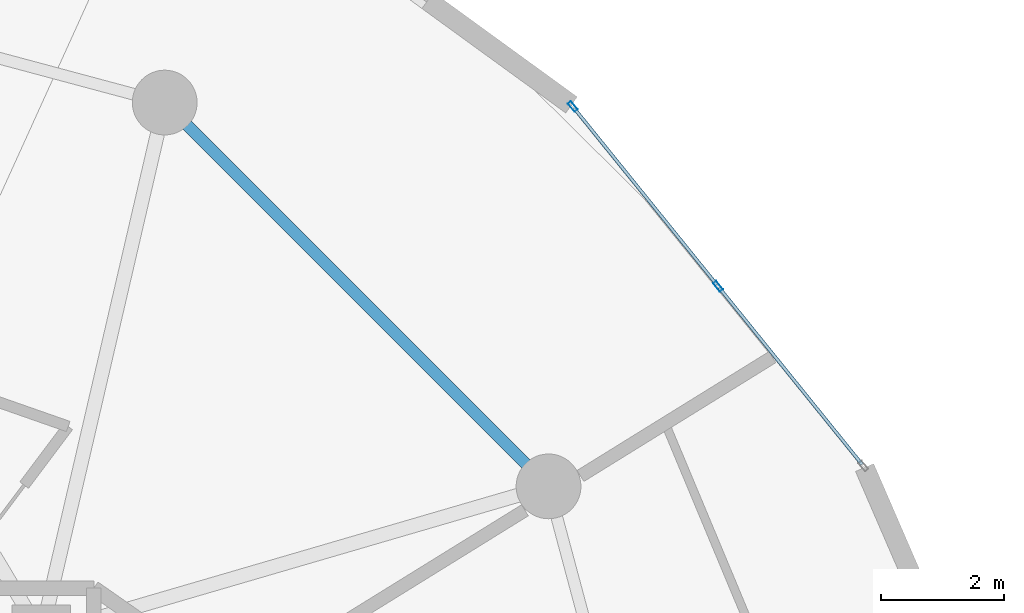
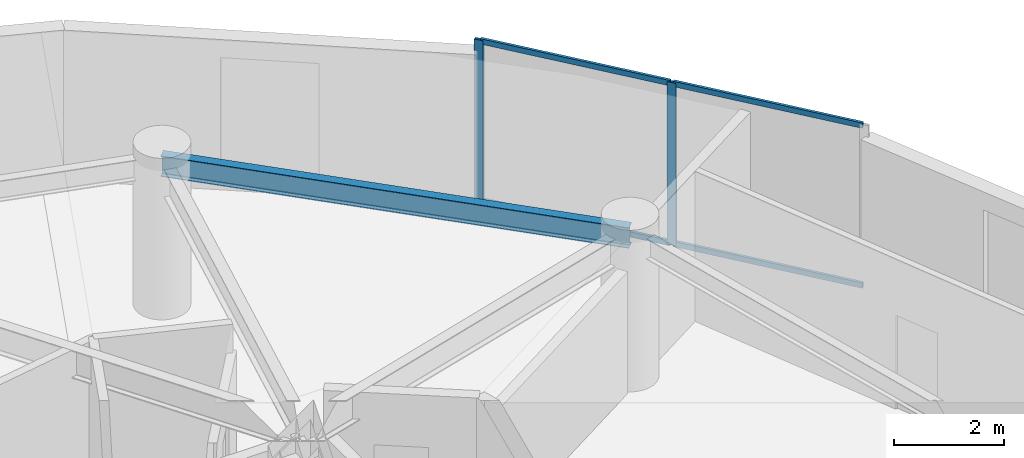
# One storey, part 15 of 21: 6 members, 1 beam, 1 element without a shape of its own.
"""IFC4 building model written with IfcOpenShell, lengths in metres."""

import ifcopenshell
import ifcopenshell.guid

model = None  # the IFC model being written
_history = None  # IfcOwnerHistory: only IFC2X3 demands one
_inside = {}  # id of a spatial element -> (the spatial element, [elements in it])
_under = {}  # id of a project, library or spatial element -> (it, [spatial elements below it])
_declared = {}  # id of a project -> (the project, [libraries it declares])
_typed = {}  # id of a type object -> (the type object, [elements of that type])
_made_of = {}  # id of a material, layer set ... -> (it, [elements and type objects made of it])


def new_model(schema):
    """Start an empty IFC model of exactly this schema.

    Asked for "IFC4X3", IfcOpenShell would pick the latest addendum, in which some entities
    have other attributes; the version numbers below select the first issue.
    IFC2X3 requires an IfcOwnerHistory on every rooted entity: one is made here for all.
    """
    global model, _history
    if schema == "IFC4X3":
        model = ifcopenshell.file(schema_version=(4, 3, 0, 0))
    else:
        model = ifcopenshell.file(schema=schema)
    _inside.clear()
    _under.clear()
    _declared.clear()
    _typed.clear()
    _made_of.clear()
    _history = None
    if model.schema == "IFC2X3":
        org = make("IfcOrganization", Name="unknown")
        user = make(
            "IfcPersonAndOrganization",
            ThePerson=make("IfcPerson", FamilyName="unknown"),
            TheOrganization=org,
        )
        app = make(
            "IfcApplication",
            ApplicationDeveloper=org,
            Version="unknown",
            ApplicationFullName="unknown",
            ApplicationIdentifier="unknown",
        )
        _history = make(
            "IfcOwnerHistory",
            OwningUser=user,
            OwningApplication=app,
            ChangeAction="ADDED",
            CreationDate=0,
        )
    return model


def make(cls, **values):
    """One entity of the class cls with the attributes given. An attribute that is None is left unset."""
    return model.create_entity(
        cls, **{name: value for name, value in values.items() if value is not None}
    )


def rooted(cls, **values):
    """An entity with a GlobalId (a new one), such as an element, a storey or a relation."""
    return make(cls, GlobalId=ifcopenshell.guid.new(), OwnerHistory=_history, **values)


def si_unit(unit_type, name, prefix=None):
    """IfcSIUnit, for example si_unit("LENGTHUNIT", "METRE", prefix="MILLI")."""
    return make("IfcSIUnit", UnitType=unit_type, Prefix=prefix, Name=name)


def assignment(units):
    """IfcUnitAssignment: the units of a project."""
    return None if units is None else make("IfcUnitAssignment", Units=units)


def point(xyz):
    """IfcCartesianPoint."""
    return None if xyz is None else make("IfcCartesianPoint", Coordinates=xyz)


def direction(xyz):
    """IfcDirection."""
    return None if xyz is None else make("IfcDirection", DirectionRatios=xyz)


def frame(location, z_axis=None, x_axis=None):
    """IfcAxis2Placement3D, a coordinate frame: its origin and axes. An axis left out is left unset."""
    return make(
        "IfcAxis2Placement3D",
        Location=point(location),
        Axis=direction(z_axis),
        RefDirection=direction(x_axis),
    )


def frame_2d(location, x_axis=None):
    """IfcAxis2Placement2D, a coordinate frame in the plane: its origin and x axis."""
    return make(
        "IfcAxis2Placement2D", Location=point(location), RefDirection=direction(x_axis)
    )


def origin():
    """The frame at (0, 0, 0) with its axes left unset."""
    return frame((0.0, 0.0, 0.0))


def origin_2d():
    """The frame at (0, 0) in the plane with its x axis left unset."""
    return frame_2d((0.0, 0.0))


def place(relative_to, where):
    """IfcLocalPlacement: puts the frame where relative to a parent placement (None: the world)."""
    return make(
        "IfcLocalPlacement", PlacementRelTo=relative_to, RelativePlacement=where
    )


def context(
    kind, dimensions, precision=None, world=None, true_north=None, identifier=None
):
    """IfcGeometricRepresentationContext, for example the 3D "Model" context."""
    return make(
        "IfcGeometricRepresentationContext",
        ContextIdentifier=identifier,
        ContextType=kind,
        CoordinateSpaceDimension=dimensions,
        Precision=precision,
        WorldCoordinateSystem=world,
        TrueNorth=true_north,
    )


def subcontext(parent, identifier, kind, view, scale=None):
    """IfcGeometricRepresentationSubContext, for example "Body" below "Model"."""
    return make(
        "IfcGeometricRepresentationSubContext",
        ContextIdentifier=identifier,
        ContextType=kind,
        ParentContext=parent,
        TargetScale=scale,
        TargetView=view,
    )


def project(units=None, contexts=None):
    """IfcProject with its units and contexts."""
    return rooted(
        "IfcProject",
        Name="project",
        RepresentationContexts=contexts,
        UnitsInContext=assignment(units),
    )


def spatial(cls, under=None, at=None, **own):
    """A site, building, storey or space (cls), placed at a placement, below another one or the project."""
    s = rooted(cls, ObjectPlacement=at, **own)
    if under is not None:
        _under.setdefault(under.id(), (under, []))[1].append(s)
    return s


def profile(cls, at=None, kind="AREA", **sizes):
    """A parametric profile (cls). Its sizes go by their IFC names, for example OverallWidth=200.0."""
    return make(cls, ProfileType=kind, Position=at, **sizes)


def hollow_rectangle(**sizes):
    """IfcRectangleHollowProfileDef."""
    return profile("IfcRectangleHollowProfileDef", **sizes)


def i_section(**sizes):
    """IfcIShapeProfileDef."""
    return profile("IfcIShapeProfileDef", **sizes)


def extrude(swept, where, along, depth):
    """IfcExtrudedAreaSolid: the profile swept, set in the frame where, extruded along a direction by depth."""
    return make(
        "IfcExtrudedAreaSolid",
        SweptArea=swept,
        Position=where,
        ExtrudedDirection=direction(along),
        Depth=depth,
    )


def shape(context_of_items, identifier, shape_type, items):
    """IfcShapeRepresentation: the items that make up one representation, for example the "Body"."""
    return make(
        "IfcShapeRepresentation",
        ContextOfItems=context_of_items,
        RepresentationIdentifier=identifier,
        RepresentationType=shape_type,
        Items=items,
    )


def source(mapping_origin, context_of_items, identifier, shape_type, items):
    """IfcRepresentationMap: a shape defined once, which mapped items show again and again."""
    return make(
        "IfcRepresentationMap",
        MappingOrigin=mapping_origin,
        MappedRepresentation=shape(context_of_items, identifier, shape_type, items),
    )


def transform(
    local_origin,
    x_axis=None,
    y_axis=None,
    z_axis=None,
    scale=None,
    scale2=None,
    scale3=None,
    uniform=True,
):
    """IfcCartesianTransformationOperator3D, or its non-uniform kind. x_axis, y_axis, z_axis: its Axis1, 2, 3."""
    if uniform:
        return make(
            "IfcCartesianTransformationOperator3D",
            Axis1=direction(x_axis),
            Axis2=direction(y_axis),
            LocalOrigin=point(local_origin),
            Scale=scale,
            Axis3=direction(z_axis),
        )
    return make(
        "IfcCartesianTransformationOperator3DnonUniform",
        Axis1=direction(x_axis),
        Axis2=direction(y_axis),
        LocalOrigin=point(local_origin),
        Scale=scale,
        Axis3=direction(z_axis),
        Scale2=scale2,
        Scale3=scale3,
    )


def mapped(mapping_source, mapping_target):
    """IfcMappedItem: shows the shape of a source again, moved by a transform."""
    return make(
        "IfcMappedItem", MappingSource=mapping_source, MappingTarget=mapping_target
    )


def material(Name=None, Category=None):
    """IfcMaterial."""
    return make("IfcMaterial", Name=Name, Category=Category)


def layer(
    of_material, thickness, ventilated=None, Name=None, Category=None, Priority=None
):
    """IfcMaterialLayer: one layer of a wall or slab, of a material (None: an air gap)."""
    return make(
        "IfcMaterialLayer",
        Material=of_material,
        LayerThickness=thickness,
        IsVentilated=ventilated,
        Name=Name,
        Category=Category,
        Priority=Priority,
    )


def layer_set(layers, Name=None):
    """IfcMaterialLayerSet."""
    return make("IfcMaterialLayerSet", MaterialLayers=layers, LayerSetName=Name)


def material_profile(
    of_material, cross_section, Name=None, Category=None, Priority=None
):
    """IfcMaterialProfile: a cross section and its material."""
    return make(
        "IfcMaterialProfile",
        Name=Name,
        Material=of_material,
        Profile=cross_section,
        Priority=Priority,
        Category=Category,
    )


def profile_set(profiles, Name=None, composite=None):
    """IfcMaterialProfileSet."""
    return make(
        "IfcMaterialProfileSet",
        Name=Name,
        MaterialProfiles=profiles,
        CompositeProfile=composite,
    )


def made_of(thing, what):
    """Note that an element or type object is made of a material, layer set ...; save() writes the relation."""
    if what is not None:
        _made_of.setdefault(what.id(), (what, []))[1].append(thing)
    return thing


def type_object(cls, material=None, **own):
    """A type object (cls), such as IfcWallType, which elements share."""
    return made_of(rooted(cls, **own), material)


def element(
    cls,
    number,
    at=None,
    inside=None,
    cuts=None,
    type_object=None,
    material=None,
    context=None,
    identifier="Body",
    shape_type=None,
    held_by="IfcProductDefinitionShape",
    body=None,
    shapes=None,
    **own,
):
    """One element of the class cls, such as IfcWall. Its Tag is "e" and its number.

    at: its placement. inside: the storey or other place that contains it. cuts: it is an
    opening in that element (IfcRelVoidsElement). A single representation is given by context,
    identifier, shape_type and body (its items); several are given by shapes. held_by: the class
    of the entity that holds the representations. save() writes the other relations.
    """
    e = rooted(cls, Tag="e%d" % number, ObjectPlacement=at, **own)
    if body is not None:
        shapes = [shape(context, identifier, shape_type, body)]
    if shapes is not None:
        e.Representation = make(held_by, Representations=shapes)
    if inside is not None:
        _inside.setdefault(inside.id(), (inside, []))[1].append(e)
    if cuts is not None:
        rooted(
            "IfcRelVoidsElement", RelatingBuildingElement=cuts, RelatedOpeningElement=e
        )
    if type_object is not None:
        _typed.setdefault(type_object.id(), (type_object, []))[1].append(e)
    return made_of(e, material)


def aggregate(whole, parts):
    """IfcRelAggregates: a whole, such as a stair, and the parts it consists of."""
    return rooted("IfcRelAggregates", RelatingObject=whole, RelatedObjects=parts)


def save(model, path):
    """Write the relations noted so far, then the file.

    IfcRelAggregates (storeys below a building ...), IfcRelContainedInSpatialStructure (elements
    in a storey), IfcRelDefinesByType, IfcRelAssociatesMaterial and IfcRelDeclares: one each for
    every whole, place, type object, material and project.
    """
    for whole, parts in _under.values():
        aggregate(whole, parts)
    for where, things in _inside.values():
        rooted(
            "IfcRelContainedInSpatialStructure",
            RelatedElements=things,
            RelatingStructure=where,
        )
    for kind, things in _typed.values():
        rooted("IfcRelDefinesByType", RelatedObjects=things, RelatingType=kind)
    for what, things in _made_of.values():
        rooted("IfcRelAssociatesMaterial", RelatedObjects=things, RelatingMaterial=what)
    for by, libraries in _declared.values():
        rooted("IfcRelDeclares", RelatingContext=by, RelatedDefinitions=libraries)
    model.write(path)


model = new_model("IFC4")

# Units and contexts
model_context = context("Model", 3, precision=1e-05, world=origin(), true_north=direction((0.0, 1.0)))
body_context = subcontext(model_context, "Body", "Model", "MODEL_VIEW")
ifc_project = project(units=[si_unit("LENGTHUNIT", "METRE"), si_unit("AREAUNIT", "SQUARE_METRE"), si_unit("VOLUMEUNIT", "CUBIC_METRE"), si_unit("PLANEANGLEUNIT", "RADIAN"), si_unit("MASSUNIT", "GRAM", prefix="KILO")], contexts=[model_context])

# Site, building, storey
site_placement = place(None, origin())
site = spatial("IfcSite", under=ifc_project, at=site_placement, CompositionType="ELEMENT")
building_placement = place(site_placement, origin())
building = spatial("IfcBuilding", under=site, at=building_placement, Name="Solvirekh Grand Hotel", CompositionType="ELEMENT")
storey_placement = place(building_placement, frame((0.0, 0.0, 142.199951171875)))
storey = spatial("IfcBuildingStorey", under=building, at=storey_placement, Name="L36", CompositionType="ELEMENT", Elevation=142.199951171875)

# Beam
ifc_material_1 = material(Name="Steel S355", Category="steel")
ifc_material_profile_1 = material_profile(ifc_material_1, i_section(OverallWidth=0.18994140625, OverallDepth=0.45703125, WebThickness=0.009033203125, FlangeThickness=0.013916015625, FilletRadius=0.012939453125, at=origin_2d()), Name="W460X74")
ifc_profile_set_1 = profile_set([ifc_material_profile_1], Name="Steel S355")
beam_type = type_object("IfcBeamType", Name="Spandrel_Ring_W460", PredefinedType="SPANDREL", material=ifc_profile_set_1)
beam_placement = place(storey_placement, frame((14.721923828125, 8.5, 3.1220703125), z_axis=(-0.707106781187, 0.707106781187, 0.0), x_axis=(-0.707106781187, -0.707106781187, 0.0)))
element("IfcBeam", 1, at=beam_placement, inside=storey, type_object=beam_type, Name="L36 perimeter spandrel beam 2", PredefinedType="SPANDREL", context=body_context, shape_type="SweptSolid", body=[
    extrude(i_section(OverallWidth=0.18994140625, OverallDepth=0.45703125, WebThickness=0.009033203125, FlangeThickness=0.013916015625, FilletRadius=0.012939453125, at=origin_2d()), origin(), (0.0, 0.0, 1.0), 8.799072265625),
])

# Curtain wall, members
ifc_material_2 = material(Name="Anodized Bronze Aluminium 6063-T6", Category="aluminium")
ifc_layer = layer(ifc_material_2, 0.175048828125)
ifc_layer_set = layer_set([ifc_layer], Name="Anodized Bronze Aluminium 6063-T6")
curtain_wall_type = type_object("IfcCurtainWallType", Name="CW_Sys3_MidZoneFlushBronzeCW", PredefinedType="NOTDEFINED", material=ifc_layer_set)
curtain_wall_placement = place(storey_placement, origin())
curtain_wall = element("IfcCurtainWall", 2, at=curtain_wall_placement, inside=storey, type_object=curtain_wall_type, Name="L36 unitised bronze-glass curtain wall CW-L36-C05", PredefinedType="NOTDEFINED")
ifc_material_profile_2 = material_profile(ifc_material_2, hollow_rectangle(XDim=0.06494140625, YDim=0.175048828125, WallThickness=0.0048828125, at=origin_2d()), Name="ALU RHS 175X65X5")
ifc_profile_set_2 = profile_set([ifc_material_profile_2], Name="Anodized Bronze Aluminium 6063-T6")
member_type_1 = type_object("IfcMemberType", Name="CWMullion_Sys3", PredefinedType="MULLION", material=ifc_profile_set_2)
shared_shape_1 = source(origin(), body_context, "Body", "SweptSolid", [
    extrude(hollow_rectangle(XDim=0.06494140625, YDim=0.175048828125, WallThickness=0.0048828125, at=origin_2d()), origin(), (0.0, 0.0, 1.0), 3.60009765625),
])
member_1_placement = place(storey_placement, frame((17.469970703125, 11.744384765625, 0.0), z_axis=(0.0, 0.0, 1.0), x_axis=(-0.777709834116, -0.628623427752, 0.0)))
member_1 = element("IfcMember", 3, at=member_1_placement, type_object=member_type_1, Name="U03 mullion 2", PredefinedType="MULLION", context=body_context, shape_type="MappedRepresentation", body=[
    mapped(shared_shape_1, transform((0.0, 0.0, 0.0), x_axis=(1.0, 0.0, 0.0), y_axis=(0.0, 1.0, 0.0), z_axis=(0.0, 0.0, 1.0), scale=1.0)),
])
member_2_placement = place(storey_placement, frame((15.114501953125, 14.65869140625, 0.0), z_axis=(0.0, 0.0, 1.0), x_axis=(-0.777709834116, -0.628623427752, 0.0)))
member_2 = element("IfcMember", 4, at=member_2_placement, type_object=member_type_1, Name="U03 mullion 3", PredefinedType="MULLION", context=body_context, shape_type="MappedRepresentation", body=[
    mapped(shared_shape_1, transform((0.0, 0.0, 0.0), x_axis=(1.0, 0.0, 0.0), y_axis=(0.0, 1.0, 0.0), z_axis=(0.0, 0.0, 1.0), scale=1.0)),
])
ifc_material_profile_3 = material_profile(ifc_material_2, hollow_rectangle(XDim=0.054931640625, YDim=0.1201171875, WallThickness=0.00390625, at=origin_2d()), Name="ALU RHS 120X55X4")
ifc_profile_set_3 = profile_set([ifc_material_profile_3], Name="Anodized Bronze Aluminium 6063-T6")
member_type_2 = type_object("IfcMemberType", Name="CWTransom_Sys3", PredefinedType="USERDEFINED", material=ifc_profile_set_3)
shared_shape_2 = source(origin(), body_context, "Body", "SweptSolid", [
    extrude(hollow_rectangle(XDim=0.054931640625, YDim=0.1201171875, WallThickness=0.00390625, at=origin_2d()), origin(), (0.0, 0.0, 1.0), 3.682373046875),
])
member_3_placement = place(storey_placement, frame((19.80517578125, 8.85546875, 0.027587890625), z_axis=(-0.628608687119, 0.77772174875, 0.0), x_axis=(-0.77772174875, -0.628608687119, 0.0)))
member_3 = element("IfcMember", 5, at=member_3_placement, type_object=member_type_2, Name="U03 transom 1.1", ObjectType="TRANSOM", PredefinedType="USERDEFINED", context=body_context, shape_type="MappedRepresentation", body=[
    mapped(shared_shape_2, transform((0.0, 0.0, 0.0), x_axis=(1.0, 0.0, 0.0), y_axis=(0.0, 1.0, 0.0), z_axis=(0.0, 0.0, 1.0), scale=1.0)),
])
member_4_placement = place(storey_placement, frame((19.80517578125, 8.85546875, 3.572509765625), z_axis=(-0.628608687119, 0.77772174875, 0.0), x_axis=(-0.77772174875, -0.628608687119, 0.0)))
member_4 = element("IfcMember", 6, at=member_4_placement, type_object=member_type_2, Name="U03 transom 1.2", ObjectType="TRANSOM", PredefinedType="USERDEFINED", context=body_context, shape_type="MappedRepresentation", body=[
    mapped(shared_shape_2, transform((0.0, 0.0, 0.0), x_axis=(1.0, 0.0, 0.0), y_axis=(0.0, 1.0, 0.0), z_axis=(0.0, 0.0, 1.0), scale=1.0)),
])
member_5_placement = place(storey_placement, frame((17.449462890625, 11.769775390625, 0.027587890625), z_axis=(-0.628608687119, 0.77772174875, 0.0), x_axis=(-0.77772174875, -0.628608687119, 0.0)))
member_5 = element("IfcMember", 7, at=member_5_placement, type_object=member_type_2, Name="U03 transom 2.1", ObjectType="TRANSOM", PredefinedType="USERDEFINED", context=body_context, shape_type="MappedRepresentation", body=[
    mapped(shared_shape_2, transform((0.0, 0.0, 0.0), x_axis=(1.0, 0.0, 0.0), y_axis=(0.0, 1.0, 0.0), z_axis=(0.0, 0.0, 1.0), scale=1.0)),
])
member_6_placement = place(storey_placement, frame((17.449462890625, 11.769775390625, 3.572509765625), z_axis=(-0.628608687119, 0.77772174875, 0.0), x_axis=(-0.77772174875, -0.628608687119, 0.0)))
member_6 = element("IfcMember", 8, at=member_6_placement, type_object=member_type_2, Name="U03 transom 2.2", ObjectType="TRANSOM", PredefinedType="USERDEFINED", context=body_context, shape_type="MappedRepresentation", body=[
    mapped(shared_shape_2, transform((0.0, 0.0, 0.0), x_axis=(1.0, 0.0, 0.0), y_axis=(0.0, 1.0, 0.0), z_axis=(0.0, 0.0, 1.0), scale=1.0)),
])
aggregate(curtain_wall, [member_1, member_2, member_3, member_4, member_5, member_6])

save(model, "model.ifc")
